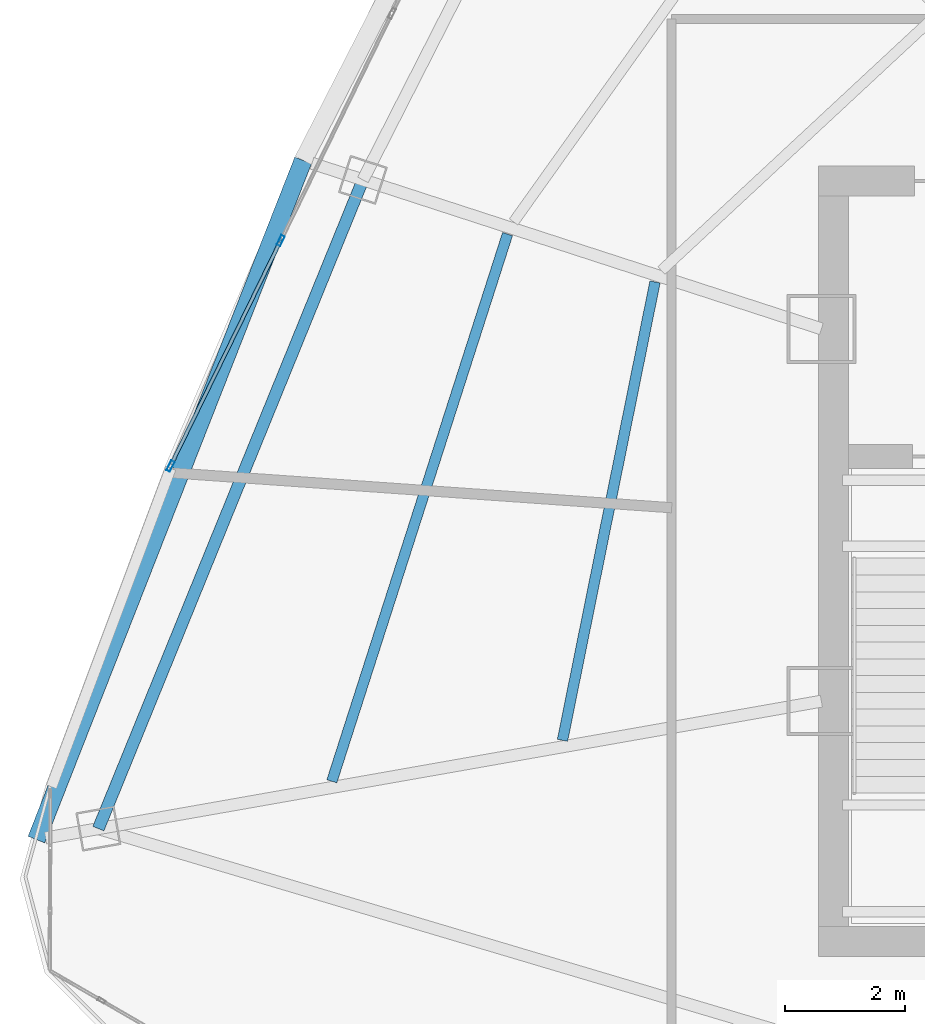
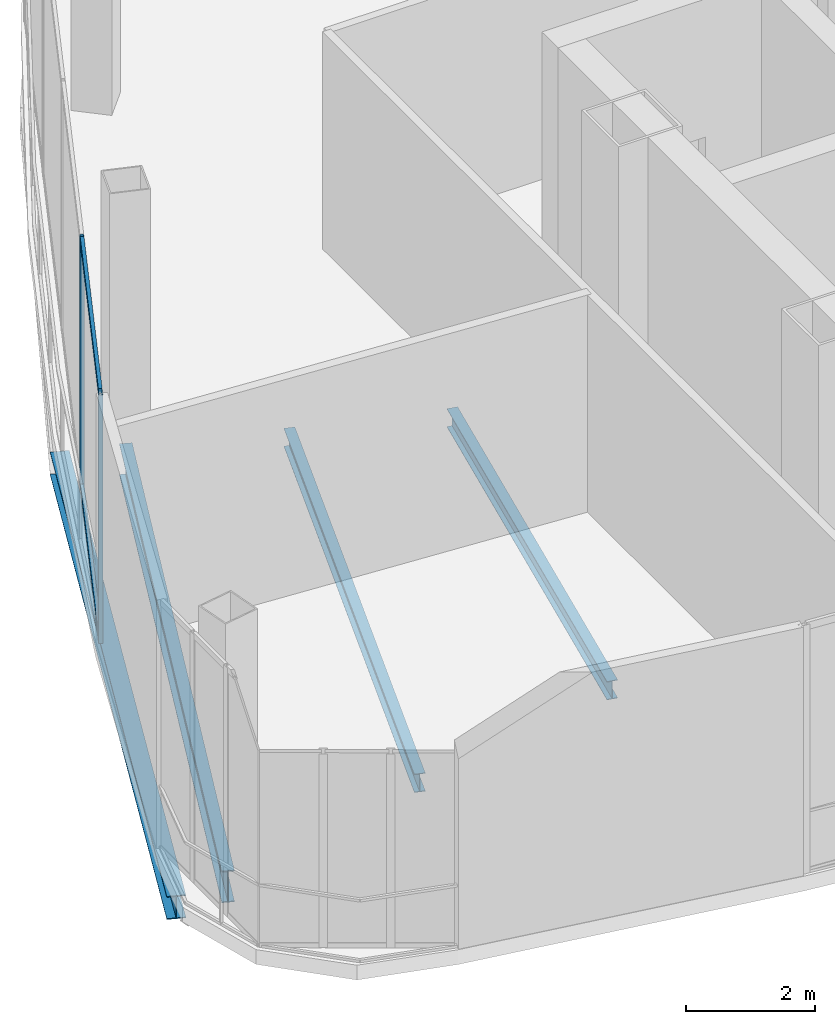
# One storey, part 6 of 33: 4 beams, 4 members, 1 element without a shape of its own.
"""IFC4 building model written with IfcOpenShell, lengths in metres."""

from ifc_helpers import new_model, si_unit, direction, frame, origin, origin_2d, place, context, subcontext, project, spatial, hollow_rectangle, i_section, extrude, source, transform, mapped, material, layer, layer_set, material_profile, profile_set, type_object, element, aggregate, save


model = new_model("IFC4")

# Units and contexts
model_context = context("Model", 3, precision=1e-05, world=origin(), true_north=direction((0.0, 1.0)))
body_context = subcontext(model_context, "Body", "Model", "MODEL_VIEW")
ifc_project = project(units=[si_unit("LENGTHUNIT", "METRE"), si_unit("AREAUNIT", "SQUARE_METRE"), si_unit("VOLUMEUNIT", "CUBIC_METRE"), si_unit("PLANEANGLEUNIT", "RADIAN"), si_unit("MASSUNIT", "GRAM", prefix="KILO"), si_unit("THERMODYNAMICTEMPERATUREUNIT", "KELVIN"), si_unit("POWERUNIT", "WATT")], contexts=[model_context])

# Site, building, storey
site_placement = place(None, origin())
site = spatial("IfcSite", under=ifc_project, at=site_placement, CompositionType="ELEMENT")
building_placement = place(site_placement, origin())
building = spatial("IfcBuilding", under=site, at=building_placement, Name="Yunzhuo Pagoda Commons", CompositionType="ELEMENT")
storey_placement = place(building_placement, frame((0.0, 0.0, 386.760009765625)))
storey = spatial("IfcBuildingStorey", under=building, at=storey_placement, Name="L96", CompositionType="ELEMENT", Elevation=386.760009765625)

# Beams
ifc_material_1 = material(Name="Structural steel Q355B", Category="steel")
ifc_material_profile_1 = material_profile(ifc_material_1, i_section(OverallWidth=0.199951171875, OverallDepth=0.60009765625, WebThickness=0.010986328125, FlangeThickness=0.01708984375, at=origin_2d()), Name="Structural steel Q355B")
ifc_profile_set_1 = profile_set([ifc_material_profile_1], Name="Structural steel Q355B")
beam_type_1 = type_object("IfcBeamType", Name="B-RG3 Beam HN 600x200x11x17", PredefinedType="BEAM", material=ifc_profile_set_1)
shared_shape_1 = source(origin(), body_context, "Body", "SweptSolid", [
    extrude(i_section(OverallWidth=0.199951171875, OverallDepth=0.60009765625, WebThickness=0.010986328125, FlangeThickness=0.01708984375, at=origin_2d()), origin(), (0.0, 0.0, 1.0), 11.696533203125),
])
beam_1_placement = place(storey_placement, frame((27.946533203125, 40.2158203125, -0.580078125), z_axis=(-0.377611800863, -0.925963999219, 0.0), x_axis=(0.925963999219, -0.377611800863, 0.0)))
element("IfcBeam", 1, at=beam_1_placement, inside=storey, type_object=beam_type_1, Name="L96 column-ring beam 11", PredefinedType="BEAM", context=body_context, shape_type="MappedRepresentation", body=[
    mapped(shared_shape_1, transform((0.0, 0.0, 0.0), scale=1.0)),
])
ifc_material_profile_2 = material_profile(ifc_material_1, i_section(OverallWidth=0.175048828125, OverallDepth=0.35009765625, WebThickness=0.007080078125, FlangeThickness=0.010986328125, at=origin_2d()), Name="Structural steel Q355B")
ifc_profile_set_2 = profile_set([ifc_material_profile_2], Name="Structural steel Q355B")
beam_type_2 = type_object("IfcBeamType", Name="B-JS2 Joist HN 350x175x7x11", PredefinedType="JOIST", material=ifc_profile_set_2)
shared_shape_2 = source(origin(), body_context, "Body", "SweptSolid", [
    extrude(i_section(OverallWidth=0.175048828125, OverallDepth=0.35009765625, WebThickness=0.007080078125, FlangeThickness=0.010986328125, at=origin_2d()), origin(), (0.0, 0.0, 1.0), 7.8056640625),
])
beam_2_placement = place(storey_placement, frame((32.822265625, 38.511474609375, -0.455078125), z_axis=(-0.197890187791, -0.980224195568, 0.0), x_axis=(0.980224195568, -0.197890187791, 0.0)))
element("IfcBeam", 2, at=beam_2_placement, inside=storey, type_object=beam_type_2, Name="L96 composite ring joist 1.11", PredefinedType="JOIST", context=body_context, shape_type="MappedRepresentation", body=[
    mapped(shared_shape_2, transform((0.0, 0.0, 0.0), scale=1.0)),
])
shared_shape_3 = source(origin(), body_context, "Body", "SweptSolid", [
    extrude(i_section(OverallWidth=0.175048828125, OverallDepth=0.35009765625, WebThickness=0.007080078125, FlangeThickness=0.010986328125, at=origin_2d()), origin(), (0.0, 0.0, 1.0), 9.593994140625),
])
beam_3_placement = place(storey_placement, frame((30.360595703125, 39.310546875, -0.455078125), z_axis=(-0.305719218499, -0.952121714614, 0.0), x_axis=(0.952121714614, -0.305719218499, 0.0)))
element("IfcBeam", 3, at=beam_3_placement, inside=storey, type_object=beam_type_2, Name="L96 composite ring joist 2.11", PredefinedType="JOIST", context=body_context, shape_type="MappedRepresentation", body=[
    mapped(shared_shape_3, transform((0.0, 0.0, 0.0), scale=1.0)),
])
ifc_material_profile_3 = material_profile(ifc_material_1, i_section(OverallWidth=0.300048828125, OverallDepth=0.43994140625, WebThickness=0.010986328125, FlangeThickness=0.01806640625, at=origin_2d()), Name="Structural steel Q355B")
ifc_profile_set_3 = profile_set([ifc_material_profile_3], Name="Structural steel Q355B")
beam_type_3 = type_object("IfcBeamType", Name="B-SP2 Beam HM 440x300x11x18", PredefinedType="BEAM", material=ifc_profile_set_3)
shared_shape_4 = source(origin(), body_context, "Body", "SweptSolid", [
    extrude(i_section(OverallWidth=0.300048828125, OverallDepth=0.43994140625, WebThickness=0.010986328125, FlangeThickness=0.01806640625, at=origin_2d()), origin(), (0.0, 0.0, 1.0), 12.18017578125),
])
beam_4_placement = place(storey_placement, frame((26.947998046875, 40.540283203125, -0.5), z_axis=(-0.365522138301, -0.930802646328, 0.0), x_axis=(0.930802646328, -0.365522138301, 0.0)))
element("IfcBeam", 4, at=beam_4_placement, inside=storey, type_object=beam_type_3, Name="L96 facade edge spandrel beam F3.3", PredefinedType="BEAM", context=body_context, shape_type="MappedRepresentation", body=[
    mapped(shared_shape_4, transform((0.0, 0.0, 0.0), scale=1.0)),
])

# Curtain wall, members
ifc_material_2 = material(Name="Anodized aluminium 6063-T6", Category="aluminium")
ifc_layer = layer(ifc_material_2, 0.179931640625)
ifc_layer_set = layer_set([ifc_layer], Name="Anodized aluminium 6063-T6")
curtain_wall_type = type_object("IfcCurtainWallType", Name="CW-CRN Crown Gable Glazing System", PredefinedType="NOTDEFINED", material=ifc_layer_set)
curtain_wall_placement = place(storey_placement, origin())
curtain_wall = element("IfcCurtainWall", 5, at=curtain_wall_placement, inside=storey, type_object=curtain_wall_type, Name="L96 curtain wall CW-L96-CRNF3G2", PredefinedType="NOTDEFINED")
ifc_material_profile_4 = material_profile(ifc_material_2, hollow_rectangle(XDim=0.06494140625, YDim=0.179931640625, WallThickness=0.00390625, at=origin_2d()), Name="Anodized aluminium 6063-T6")
ifc_profile_set_4 = profile_set([ifc_material_profile_4], Name="Anodized aluminium 6063-T6")
member_type_1 = type_object("IfcMemberType", Name="CW-CRN-M Mullion RHS 180x65x4", PredefinedType="MULLION", material=ifc_profile_set_4)
shared_shape_5 = source(origin(), body_context, "Body", "SweptSolid", [
    extrude(hollow_rectangle(XDim=0.06494140625, YDim=0.179931640625, WallThickness=0.00390625, at=origin_2d()), origin(), (0.0, 0.0, 1.0), 4.72021484375),
])
member_1_placement = place(storey_placement, frame((26.57421875, 39.20263671875, 0.0), z_axis=(0.0, 0.0, 1.0), x_axis=(0.898299261226, -0.439384156839, 0.0)))
member_1 = element("IfcMember", 6, at=member_1_placement, type_object=member_type_1, Name="CW mullion 4", PredefinedType="MULLION", context=body_context, shape_type="MappedRepresentation", body=[
    mapped(shared_shape_5, transform((0.0, 0.0, 0.0), scale=1.0)),
])
member_2_placement = place(storey_placement, frame((24.733154296875, 35.4384765625, 0.0), z_axis=(0.0, 0.0, 1.0), x_axis=(0.898299261226, -0.439384156839, 0.0)))
member_2 = element("IfcMember", 7, at=member_2_placement, type_object=member_type_1, Name="CW mullion 5", PredefinedType="MULLION", context=body_context, shape_type="MappedRepresentation", body=[
    mapped(shared_shape_5, transform((0.0, 0.0, 0.0), scale=1.0)),
])
ifc_material_profile_5 = material_profile(ifc_material_2, hollow_rectangle(XDim=0.06005859375, YDim=0.139892578125, WallThickness=0.00341796875, at=origin_2d()), Name="Anodized aluminium 6063-T6")
ifc_profile_set_5 = profile_set([ifc_material_profile_5], Name="Anodized aluminium 6063-T6")
member_type_2 = type_object("IfcMemberType", Name="CW-CRN-T Transom RHS 140x60x3.5", PredefinedType="USERDEFINED", material=ifc_profile_set_5)
shared_shape_6 = source(origin(), body_context, "Body", "SweptSolid", [
    extrude(hollow_rectangle(XDim=0.06005859375, YDim=0.139892578125, WallThickness=0.00341796875, at=origin_2d()), origin(), (0.0, 0.0, 1.0), 4.125244140625),
])
member_3_placement = place(storey_placement, frame((26.56005859375, 39.17333984375, 0.030029296875), z_axis=(-0.439360850233, -0.898310660787, 0.0), x_axis=(0.898310660787, -0.439360850233, 0.0)))
member_3 = element("IfcMember", 8, at=member_3_placement, type_object=member_type_2, Name="CW transom 4.1", ObjectType="TRANSOM", PredefinedType="USERDEFINED", context=body_context, shape_type="MappedRepresentation", body=[
    mapped(shared_shape_6, transform((0.0, 0.0, 0.0), scale=1.0)),
])
member_4_placement = place(storey_placement, frame((26.56005859375, 39.17333984375, 4.68994140625), z_axis=(-0.439360850233, -0.898310660787, 0.0), x_axis=(0.898310660787, -0.439360850233, 0.0)))
member_4 = element("IfcMember", 9, at=member_4_placement, type_object=member_type_2, Name="CW transom 4.2", ObjectType="TRANSOM", PredefinedType="USERDEFINED", context=body_context, shape_type="MappedRepresentation", body=[
    mapped(shared_shape_6, transform((0.0, 0.0, 0.0), scale=1.0)),
])
aggregate(curtain_wall, [member_1, member_2, member_3, member_4])

save(model, "model.ifc")
